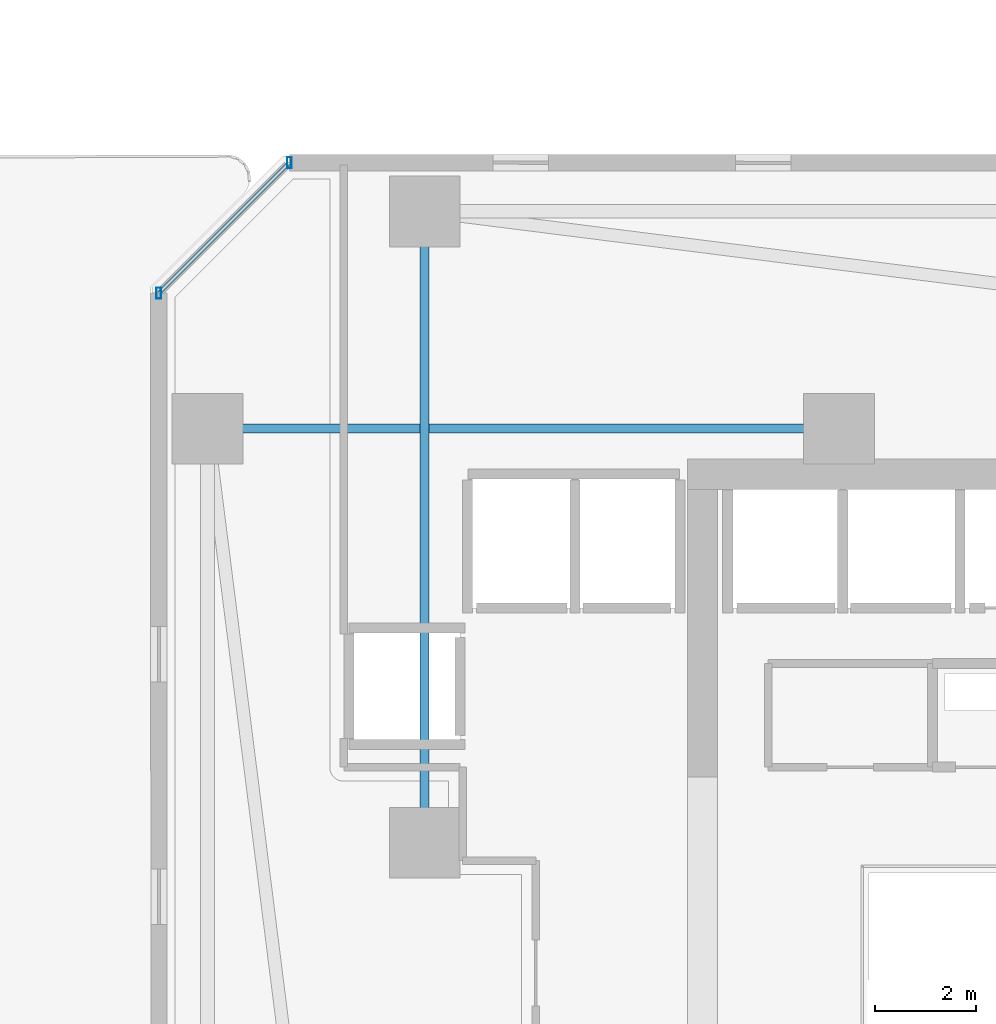
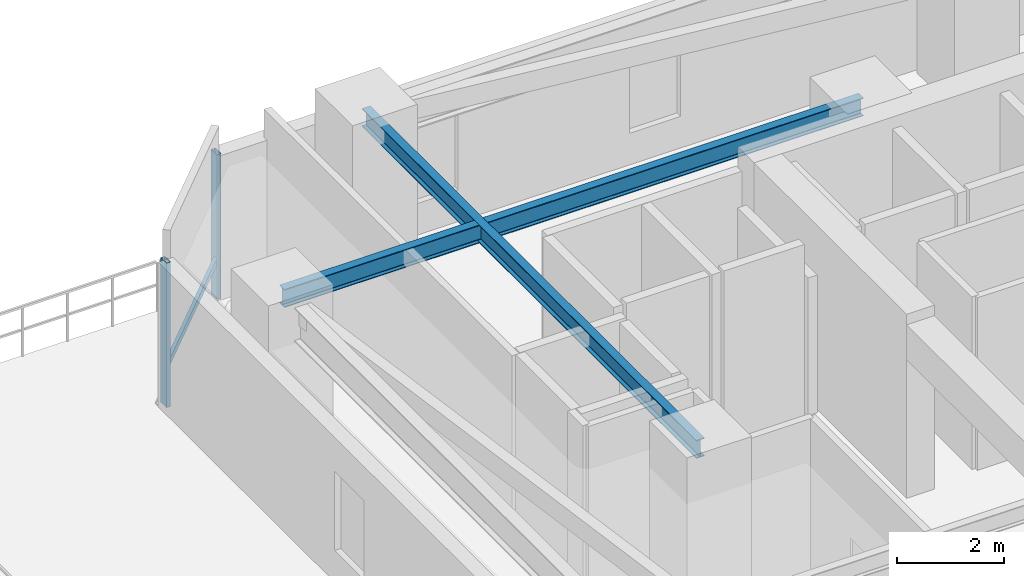
# One storey, part 7 of 33: 3 members, 2 beams, 1 element without a shape of its own.
"""IFC4 building model written with IfcOpenShell, lengths in metres."""

from ifc_helpers import new_model, si_unit, direction, frame, origin, origin_2d, place, context, subcontext, project, spatial, hollow_rectangle, i_section, extrude, material, material_profile, profile_set, type_object, element, aggregate, save


model = new_model("IFC4")

# Units and contexts
model_context = context("Model", 3, precision=1e-05, world=origin(), true_north=direction((0.0, 1.0)))
body_context = subcontext(model_context, "Body", "Model", "MODEL_VIEW")
ifc_project = project(units=[si_unit("LENGTHUNIT", "METRE"), si_unit("AREAUNIT", "SQUARE_METRE"), si_unit("VOLUMEUNIT", "CUBIC_METRE"), si_unit("PLANEANGLEUNIT", "RADIAN"), si_unit("MASSUNIT", "GRAM", prefix="KILO")], contexts=[model_context])

# Site, building, storey
site_placement = place(None, origin())
site = spatial("IfcSite", under=ifc_project, at=site_placement, CompositionType="ELEMENT")
building_placement = place(site_placement, origin())
building = spatial("IfcBuilding", under=site, at=building_placement, Name="Thornwick Lancets Civic Towers", CompositionType="ELEMENT")
storey_placement = place(building_placement, frame((0.0, 0.0, 49.5)))
storey = spatial("IfcBuildingStorey", under=building, at=storey_placement, Name="L12", CompositionType="ELEMENT", Elevation=49.5)

# Beams
ifc_material_1 = material(Name="Steel S355JR", Category="steel")
ifc_material_profile_1 = material_profile(ifc_material_1, i_section(OverallWidth=0.179443359375, OverallDepth=0.412841796875, WebThickness=0.009521484375, FlangeThickness=0.01611328125, FilletRadius=0.01025390625, at=origin_2d()), Name="UKB 406x178x74")
ifc_profile_set_1 = profile_set([ifc_material_profile_1], Name="Steel S355JR")
beam_type = type_object("IfcBeamType", Name="BM_JOIST_406_74", PredefinedType="JOIST", material=ifc_profile_set_1)
for number, where, z_axis, x_axis, name in (
    (1, (12.5, 31.800048828125, 3.753662109375), (0.0, 1.0, 0.0), (-1.0, 0.0, 0.0), "BM-RADIN-L12-A07"),
    (2, (20.699951171875, 40.0, 3.753662109375), (-1.0, 0.0, 0.0), (0.0, -1.0, 0.0), "BM-RADIN-L12-A12"),
):
    element("IfcBeam", number, at=place(storey_placement, frame(where, z_axis=z_axis, x_axis=x_axis)), inside=storey, type_object=beam_type, Name=name, PredefinedType="JOIST", context=body_context, shape_type="SweptSolid", body=[
        extrude(i_section(OverallWidth=0.179443359375, OverallDepth=0.412841796875, WebThickness=0.009521484375, FlangeThickness=0.01611328125, FilletRadius=0.01025390625, at=origin_2d()), origin(), (0.0, 0.0, 1.0), 12.5),
    ])

# Curtain wall, members
ifc_material_2 = material(Name="Low-zone chamfered-corner unitised glass curtain wall", Category="glass")
curtain_wall_type = type_object("IfcCurtainWallType", Name="CW_SYS_03", PredefinedType="NOTDEFINED", material=ifc_material_2)
curtain_wall_placement = place(storey_placement, origin())
curtain_wall = element("IfcCurtainWall", 3, at=curtain_wall_placement, inside=storey, type_object=curtain_wall_type, Name="L12 Curtain Wall CW-L12-A-E5", PredefinedType="NOTDEFINED")
ifc_material_3 = material(Name="Thermally broken bronze aluminium S355", Category="steel")
ifc_material_profile_2 = material_profile(ifc_material_3, hollow_rectangle(XDim=0.090087890625, YDim=0.219970703125, WallThickness=0.00634765625, at=origin_2d()), Name="RHS 220x90x6.3")
ifc_profile_set_2 = profile_set([ifc_material_profile_2], Name="Thermally broken bronze aluminium S355")
member_type_1 = type_object("IfcMemberType", Name="CW_MUL_220", PredefinedType="MULLION", material=ifc_profile_set_2)
member_1_placement = place(storey_placement, frame((9.81884765625, 45.264892578125, 0.0), z_axis=(0.0, 0.0, 1.0), x_axis=(1.0, 0.0, 0.0)))
member_1 = element("IfcMember", 4, at=member_1_placement, type_object=member_type_1, Name="CW-L12-A-E5 Mullion 0", PredefinedType="MULLION", context=body_context, shape_type="SweptSolid", body=[
    extrude(hollow_rectangle(XDim=0.090087890625, YDim=0.219970703125, WallThickness=0.00634765625, at=origin_2d()), origin(), (0.0, 0.0, 1.0), 3.300048828125),
])
member_2_placement = place(storey_placement, frame((7.235107421875, 42.68115234375, 0.0), z_axis=(0.0, 0.0, 1.0), x_axis=(1.0, 0.0, 0.0)))
member_2 = element("IfcMember", 5, at=member_2_placement, type_object=member_type_1, Name="CW-L12-A-E5 Mullion 1", PredefinedType="MULLION", context=body_context, shape_type="SweptSolid", body=[
    extrude(hollow_rectangle(XDim=0.090087890625, YDim=0.219970703125, WallThickness=0.00634765625, at=origin_2d()), origin(), (0.0, 0.0, 1.0), 3.300048828125),
])
ifc_material_profile_3 = material_profile(ifc_material_3, hollow_rectangle(XDim=0.074951171875, YDim=0.14990234375, WallThickness=0.0048828125, at=origin_2d()), Name="RHS 150x75x5")
ifc_profile_set_3 = profile_set([ifc_material_profile_3], Name="Thermally broken bronze aluminium S355")
member_type_2 = type_object("IfcMemberType", Name="CW_TRN_150", PredefinedType="USERDEFINED", material=ifc_profile_set_3)
member_3_placement = place(storey_placement, frame((9.8046875, 45.250732421875, 0.85009765625), z_axis=(-0.707106781187, -0.707106781187, 0.0), x_axis=(0.707106781187, -0.707106781187, 0.0)))
member_3 = element("IfcMember", 6, at=member_3_placement, type_object=member_type_2, Name="CW-L12-A-E5 Transom 0", ObjectType="TRANSOM", PredefinedType="USERDEFINED", context=body_context, shape_type="SweptSolid", body=[
    extrude(hollow_rectangle(XDim=0.074951171875, YDim=0.14990234375, WallThickness=0.0048828125, at=origin_2d()), origin(), (0.0, 0.0, 1.0), 3.614013671875),
])
aggregate(curtain_wall, [member_1, member_2, member_3])

save(model, "model.ifc")
